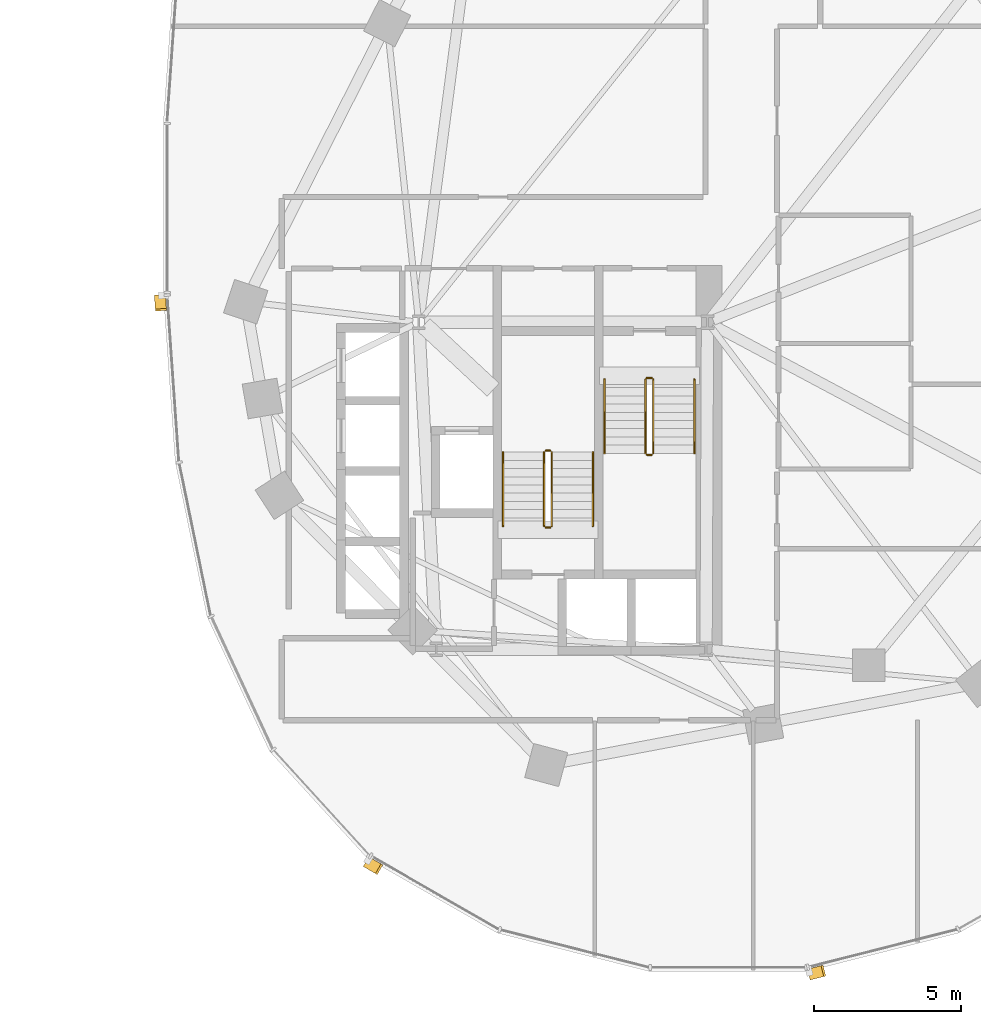
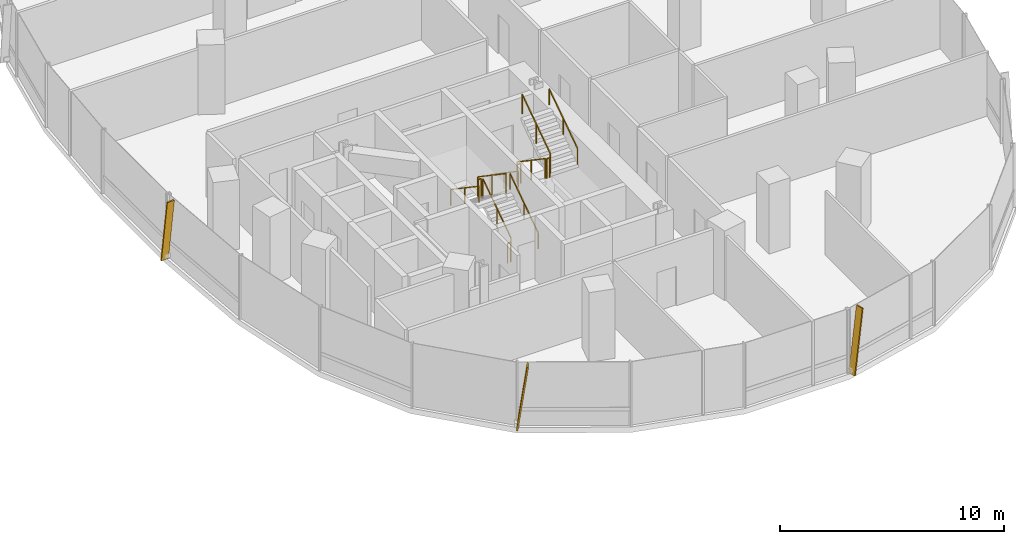
# One storey, part 21 of 22: 12 railings, 3 shading devices.
"""IFC4 building model written with IfcOpenShell, lengths in metres."""

from ifc_helpers import new_model, si_unit, direction, frame, origin, origin_2d, place, context, subcontext, project, spatial, rectangle, extrude, material, material_profile, profile_set, type_object, element, save


model = new_model("IFC4")

# Units and contexts
model_context = context("Model", 3, precision=1e-05, world=origin(), true_north=direction((0.0, 1.0)))
body_context = subcontext(model_context, "Body", "Model", "MODEL_VIEW")
ifc_project = project(units=[si_unit("LENGTHUNIT", "METRE"), si_unit("AREAUNIT", "SQUARE_METRE"), si_unit("VOLUMEUNIT", "CUBIC_METRE"), si_unit("PLANEANGLEUNIT", "RADIAN"), si_unit("MASSUNIT", "GRAM", prefix="KILO"), si_unit("THERMODYNAMICTEMPERATUREUNIT", "KELVIN"), si_unit("POWERUNIT", "WATT")], contexts=[model_context])

# Site, building, storey
site_placement = place(None, origin())
site = spatial("IfcSite", under=ifc_project, at=site_placement, CompositionType="ELEMENT")
building_placement = place(site_placement, origin())
building = spatial("IfcBuilding", under=site, at=building_placement, Name="Cundina Bronze Exchange", CompositionType="ELEMENT")
storey_placement = place(building_placement, frame((0.0, 0.0, 43.0)))
storey = spatial("IfcBuildingStorey", under=building, at=storey_placement, Name="L10", CompositionType="ELEMENT", Elevation=43.0)

# Railings
ifc_material_1 = material(Name="Steel ASTM A36 Painted", Category="steel")
railing_type_1 = type_object("IfcRailingType", Name="RLG-HND-900", PredefinedType="HANDRAIL", material=ifc_material_1)
railing_1_placement = place(storey_placement, frame((27.7900390625, -5.85009765625, 0.18994140625)))
element("IfcRailing", 1, at=railing_1_placement, inside=storey, type_object=railing_type_1, Name="L10 ST-E1 stair handrail 1", PredefinedType="HANDRAIL", context=body_context, shape_type="SweptSolid", body=[
    extrude(rectangle(XDim=0.048095703125, YDim=0.048095703125, at=origin_2d()), frame((0.0, 0.0, 0.8759765625), z_axis=(0.0, -0.827483756001, 0.561489655786), x_axis=(1.0, 0.0, 0.0)), (0.0, 0.0, 1.0), 3.04541015625),
    extrude(rectangle(XDim=0.0419921875, YDim=0.0419921875, at=origin_2d()), origin(), (0.0, 0.0, 1.0), 0.851806640625),
    extrude(rectangle(XDim=0.0419921875, YDim=0.0419921875, at=origin_2d()), frame((0.0, -1.260009765625, 0.85498046875)), (0.0, 0.0, 1.0), 0.851806640625),
    extrude(rectangle(XDim=0.0419921875, YDim=0.0419921875, at=origin_2d()), frame((0.0, -2.52001953125, 1.7099609375)), (0.0, 0.0, 1.0), 0.851806640625),
])
for number, where, name in (
    (2, (30.85009765625, -8.3701171875, 2.090087890625), "L10 ST-E1 stair handrail 2"),
    (3, (27.389892578125, -10.85009765625, 0.18994140625), "L10 ST-E2 stair handrail 1"),
):
    element("IfcRailing", number, at=place(storey_placement, frame(where)), inside=storey, type_object=railing_type_1, Name=name, PredefinedType="HANDRAIL", context=body_context, shape_type="SweptSolid", body=[
        extrude(rectangle(XDim=0.048095703125, YDim=0.048095703125, at=origin_2d()), frame((0.0, 0.0, 0.8759765625), z_axis=(0.0, 0.827483756001, 0.561489655786), x_axis=(-1.0, 0.0, 0.0)), (0.0, 0.0, 1.0), 3.04541015625),
        extrude(rectangle(XDim=0.0419921875, YDim=0.0419921875, at=origin_2d()), origin(), (0.0, 0.0, 1.0), 0.851806640625),
        extrude(rectangle(XDim=0.0419921875, YDim=0.0419921875, at=origin_2d()), frame((0.0, 1.260009765625, 0.85498046875)), (0.0, 0.0, 1.0), 0.851806640625),
        extrude(rectangle(XDim=0.0419921875, YDim=0.0419921875, at=origin_2d()), frame((0.0, 2.52001953125, 1.7099609375)), (0.0, 0.0, 1.0), 0.851806640625),
    ])
railing_2_placement = place(storey_placement, frame((24.330078125, -8.330078125, 2.090087890625)))
element("IfcRailing", 4, at=railing_2_placement, inside=storey, type_object=railing_type_1, Name="L10 ST-E2 stair handrail 2", PredefinedType="HANDRAIL", context=body_context, shape_type="SweptSolid", body=[
    extrude(rectangle(XDim=0.048095703125, YDim=0.048095703125, at=origin_2d()), frame((0.0, 0.0, 0.8759765625), z_axis=(0.0, -0.827483756001, 0.561489655786), x_axis=(1.0, 0.0, 0.0)), (0.0, 0.0, 1.0), 3.04541015625),
    extrude(rectangle(XDim=0.0419921875, YDim=0.0419921875, at=origin_2d()), origin(), (0.0, 0.0, 1.0), 0.851806640625),
    extrude(rectangle(XDim=0.0419921875, YDim=0.0419921875, at=origin_2d()), frame((0.0, -1.260009765625, 0.85498046875)), (0.0, 0.0, 1.0), 0.851806640625),
    extrude(rectangle(XDim=0.0419921875, YDim=0.0419921875, at=origin_2d()), frame((0.0, -2.52001953125, 1.7099609375)), (0.0, 0.0, 1.0), 0.851806640625),
])
railing_type_2 = type_object("IfcRailingType", Name="RLG-STG-1100", PredefinedType="GUARDRAIL", material=ifc_material_1)
railing_3_placement = place(storey_placement, frame((29.18994140625, -5.85009765625, 0.18994140625)))
element("IfcRailing", 5, at=railing_3_placement, inside=storey, type_object=railing_type_2, Name="L10 ST-E1 stair guard 1", PredefinedType="GUARDRAIL", context=body_context, shape_type="SweptSolid", body=[
    extrude(rectangle(XDim=0.048095703125, YDim=0.048095703125, at=origin_2d()), frame((0.0, 0.0, 1.076171875), z_axis=(0.0, -0.827483756001, 0.561489655786), x_axis=(1.0, 0.0, 0.0)), (0.0, 0.0, 1.0), 3.04541015625),
    extrude(rectangle(XDim=0.0419921875, YDim=0.0419921875, at=origin_2d()), origin(), (0.0, 0.0, 1.0), 1.052001953125),
    extrude(rectangle(XDim=0.0419921875, YDim=0.0419921875, at=origin_2d()), frame((0.0, -1.260009765625, 0.85498046875)), (0.0, 0.0, 1.0), 1.052001953125),
    extrude(rectangle(XDim=0.0419921875, YDim=0.0419921875, at=origin_2d()), frame((0.0, -2.52001953125, 1.7099609375)), (0.0, 0.0, 1.0), 1.052001953125),
])
railing_4_placement = place(storey_placement, frame((29.239990234375, -8.419921875, 1.89990234375)))
element("IfcRailing", 6, at=railing_4_placement, inside=storey, type_object=railing_type_2, Name="L10 ST-E1 stair guard 2", PredefinedType="GUARDRAIL", context=body_context, shape_type="SweptSolid", body=[
    extrude(rectangle(XDim=0.048095703125, YDim=0.048095703125, at=origin_2d()), frame((0.0, 0.0, 1.076171875), z_axis=(1.0, 0.0, 0.0), x_axis=(0.0, 1.0, 0.0)), (0.0, 0.0, 1.0), 0.159912109375),
    extrude(rectangle(XDim=0.0419921875, YDim=0.0419921875, at=origin_2d()), origin(), (0.0, 0.0, 1.0), 1.052001953125),
    extrude(rectangle(XDim=0.0419921875, YDim=0.0419921875, at=origin_2d()), frame((0.159912109375, 0.0, 0.0)), (0.0, 0.0, 1.0), 1.052001953125),
])
railing_5_placement = place(storey_placement, frame((29.449951171875, -8.3701171875, 2.090087890625)))
element("IfcRailing", 7, at=railing_5_placement, inside=storey, type_object=railing_type_2, Name="L10 ST-E1 stair guard 3", PredefinedType="GUARDRAIL", context=body_context, shape_type="SweptSolid", body=[
    extrude(rectangle(XDim=0.048095703125, YDim=0.048095703125, at=origin_2d()), frame((0.0, 0.0, 1.076171875), z_axis=(0.0, 0.827483756001, 0.561489655786), x_axis=(-1.0, 0.0, 0.0)), (0.0, 0.0, 1.0), 3.04541015625),
    extrude(rectangle(XDim=0.0419921875, YDim=0.0419921875, at=origin_2d()), origin(), (0.0, 0.0, 1.0), 1.052001953125),
    extrude(rectangle(XDim=0.0419921875, YDim=0.0419921875, at=origin_2d()), frame((0.0, 1.260009765625, 0.85498046875)), (0.0, 0.0, 1.0), 1.052001953125),
    extrude(rectangle(XDim=0.0419921875, YDim=0.0419921875, at=origin_2d()), frame((0.0, 2.52001953125, 1.7099609375)), (0.0, 0.0, 1.0), 1.052001953125),
])
railing_6_placement = place(storey_placement, frame((29.239990234375, -5.800048828125, 0.0)))
element("IfcRailing", 8, at=railing_6_placement, inside=storey, type_object=railing_type_2, Name="L10 ST-E1 stair guard 4", PredefinedType="GUARDRAIL", context=body_context, shape_type="SweptSolid", body=[
    extrude(rectangle(XDim=0.048095703125, YDim=0.048095703125, at=origin_2d()), frame((0.0, 0.0, 1.076171875), z_axis=(1.0, 0.0, 0.0), x_axis=(0.0, 1.0, 0.0)), (0.0, 0.0, 1.0), 0.159912109375),
    extrude(rectangle(XDim=0.0419921875, YDim=0.0419921875, at=origin_2d()), origin(), (0.0, 0.0, 1.0), 1.052001953125),
    extrude(rectangle(XDim=0.0419921875, YDim=0.0419921875, at=origin_2d()), frame((0.159912109375, 0.0, 0.0)), (0.0, 0.0, 1.0), 1.052001953125),
])
railing_7_placement = place(storey_placement, frame((25.989990234375, -10.85009765625, 0.18994140625)))
element("IfcRailing", 9, at=railing_7_placement, inside=storey, type_object=railing_type_2, Name="L10 ST-E2 stair guard 1", PredefinedType="GUARDRAIL", context=body_context, shape_type="SweptSolid", body=[
    extrude(rectangle(XDim=0.048095703125, YDim=0.048095703125, at=origin_2d()), frame((0.0, 0.0, 1.076171875), z_axis=(0.0, 0.827483756001, 0.561489655786), x_axis=(-1.0, 0.0, 0.0)), (0.0, 0.0, 1.0), 3.04541015625),
    extrude(rectangle(XDim=0.0419921875, YDim=0.0419921875, at=origin_2d()), origin(), (0.0, 0.0, 1.0), 1.052001953125),
    extrude(rectangle(XDim=0.0419921875, YDim=0.0419921875, at=origin_2d()), frame((0.0, 1.260009765625, 0.85498046875)), (0.0, 0.0, 1.0), 1.052001953125),
    extrude(rectangle(XDim=0.0419921875, YDim=0.0419921875, at=origin_2d()), frame((0.0, 2.52001953125, 1.7099609375)), (0.0, 0.0, 1.0), 1.052001953125),
])
railing_8_placement = place(storey_placement, frame((25.93994140625, -8.280029296875, 1.89990234375)))
element("IfcRailing", 10, at=railing_8_placement, inside=storey, type_object=railing_type_2, Name="L10 ST-E2 stair guard 2", PredefinedType="GUARDRAIL", context=body_context, shape_type="SweptSolid", body=[
    extrude(rectangle(XDim=0.048095703125, YDim=0.048095703125, at=origin_2d()), frame((0.0, 0.0, 1.076171875), z_axis=(-1.0, 0.0, 0.0), x_axis=(0.0, -1.0, 0.0)), (0.0, 0.0, 1.0), 0.159912109375),
    extrude(rectangle(XDim=0.0419921875, YDim=0.0419921875, at=origin_2d()), origin(), (0.0, 0.0, 1.0), 1.052001953125),
    extrude(rectangle(XDim=0.0419921875, YDim=0.0419921875, at=origin_2d()), frame((-0.159912109375, 0.0, 0.0)), (0.0, 0.0, 1.0), 1.052001953125),
])
railing_9_placement = place(storey_placement, frame((25.72998046875, -8.330078125, 2.090087890625)))
element("IfcRailing", 11, at=railing_9_placement, inside=storey, type_object=railing_type_2, Name="L10 ST-E2 stair guard 3", PredefinedType="GUARDRAIL", context=body_context, shape_type="SweptSolid", body=[
    extrude(rectangle(XDim=0.048095703125, YDim=0.048095703125, at=origin_2d()), frame((0.0, 0.0, 1.076171875), z_axis=(0.0, -0.827483756001, 0.561489655786), x_axis=(1.0, 0.0, 0.0)), (0.0, 0.0, 1.0), 3.04541015625),
    extrude(rectangle(XDim=0.0419921875, YDim=0.0419921875, at=origin_2d()), origin(), (0.0, 0.0, 1.0), 1.052001953125),
    extrude(rectangle(XDim=0.0419921875, YDim=0.0419921875, at=origin_2d()), frame((0.0, -1.260009765625, 0.85498046875)), (0.0, 0.0, 1.0), 1.052001953125),
    extrude(rectangle(XDim=0.0419921875, YDim=0.0419921875, at=origin_2d()), frame((0.0, -2.52001953125, 1.7099609375)), (0.0, 0.0, 1.0), 1.052001953125),
])
railing_10_placement = place(storey_placement, frame((25.93994140625, -10.89990234375, 0.0)))
element("IfcRailing", 12, at=railing_10_placement, inside=storey, type_object=railing_type_2, Name="L10 ST-E2 stair guard 4", PredefinedType="GUARDRAIL", context=body_context, shape_type="SweptSolid", body=[
    extrude(rectangle(XDim=0.048095703125, YDim=0.048095703125, at=origin_2d()), frame((0.0, 0.0, 1.076171875), z_axis=(-1.0, 0.0, 0.0), x_axis=(0.0, -1.0, 0.0)), (0.0, 0.0, 1.0), 0.159912109375),
    extrude(rectangle(XDim=0.0419921875, YDim=0.0419921875, at=origin_2d()), origin(), (0.0, 0.0, 1.0), 1.052001953125),
    extrude(rectangle(XDim=0.0419921875, YDim=0.0419921875, at=origin_2d()), frame((-0.159912109375, 0.0, 0.0)), (0.0, 0.0, 1.0), 1.052001953125),
])

# Shading devices
ifc_material_2 = material(Name="Anodised Bronze Aluminium 6063-T6", Category="aluminium")
ifc_material_profile = material_profile(ifc_material_2, rectangle(XDim=0.070068359375, YDim=0.3798828125, at=origin_2d()), Name="FIN70X380", Category="aluminium")
ifc_profile_set = profile_set([ifc_material_profile], Name="Anodised Bronze Aluminium 6063-T6")
shading_device_type = type_object("IfcShadingDeviceType", Name="SHD-FIN-BRZ380", PredefinedType="USERDEFINED", material=ifc_profile_set)
for number, where, z_axis, x_axis, name in (
    (13, (12.6259765625, -2.993896484375, 0.02001953125), (0.009645159174, -0.137059109714, 0.990515911709), (-0.06953288269, 0.988072340253, 0.137398066402), "L10 Diagonal Bronze Solar Fin 1"),
    (14, (19.685791015625, -22.314208984375, 0.02001953125), (0.119166378275, -0.06842456559, 0.990513731915), (-0.85898178632, 0.493221799887, 0.137413779831), "L10 Diagonal Bronze Solar Fin 5"),
    (15, (34.787353515625, -26.138427734375, 0.02001953125), (0.133214830938, 0.033688115694, 0.990514472221), (-0.960284642503, -0.242842181368, 0.137408443412), "L10 Diagonal Bronze Solar Fin 1"),
):
    element("IfcShadingDevice", number, at=place(storey_placement, frame(where, z_axis=z_axis, x_axis=x_axis)), inside=storey, type_object=shading_device_type, Name=name, ObjectType="FIN", PredefinedType="USERDEFINED", context=body_context, shape_type="SweptSolid", body=[
        extrude(rectangle(XDim=0.070068359375, YDim=0.3798828125, at=origin_2d()), origin(), (0.0, 0.0, 1.0), 3.4931640625),
    ])

save(model, "model.ifc")
